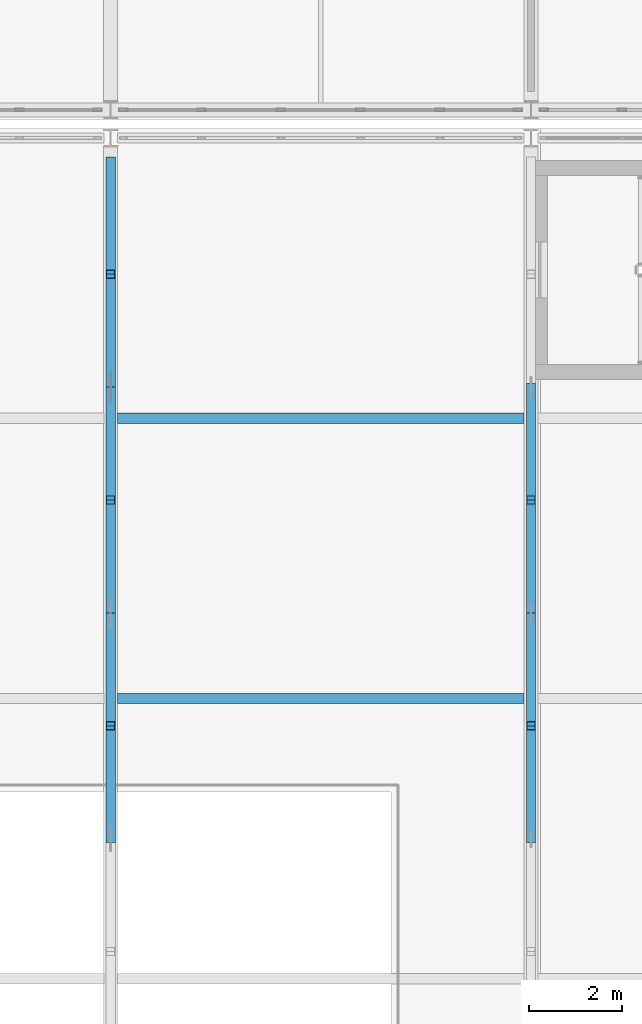
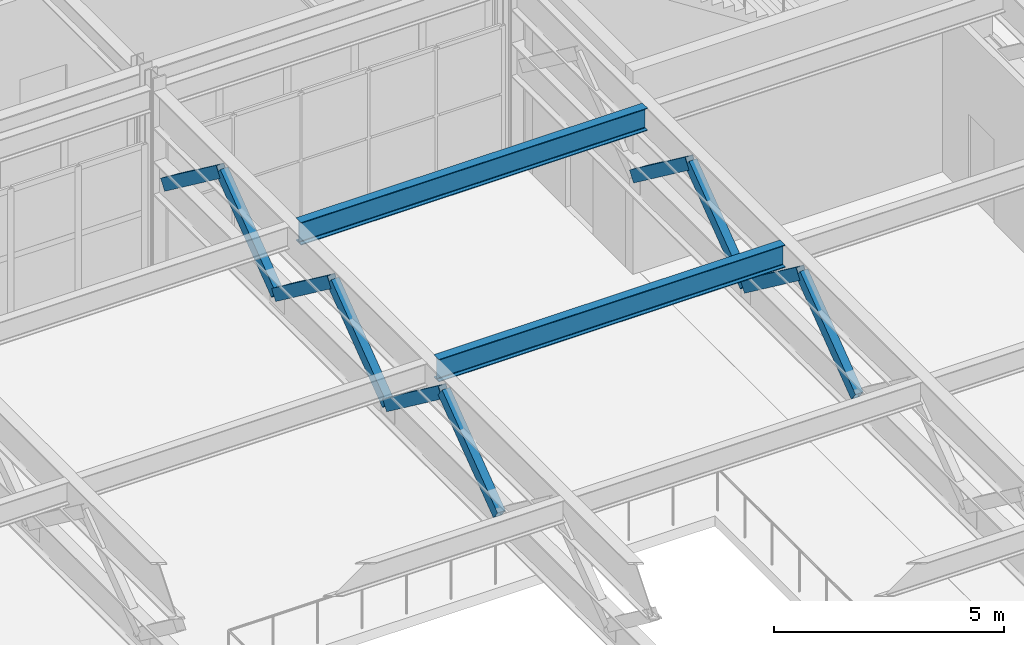
# One storey, part 33 of 210: 10 members, 2 beams.
"""IFC4 building model written with IfcOpenShell, lengths in metres."""

from ifc_helpers import new_model, si_unit, direction, frame, origin, origin_2d, place, context, subcontext, project, spatial, hollow_rectangle, i_section, extrude, material, material_profile, profile_set, type_object, element, save


model = new_model("IFC4")

# Units and contexts
model_context = context("Model", 3, precision=1e-05, world=origin(), true_north=direction((0.0, 1.0)))
body_context = subcontext(model_context, "Body", "Model", "MODEL_VIEW")
ifc_project = project(units=[si_unit("LENGTHUNIT", "METRE"), si_unit("AREAUNIT", "SQUARE_METRE"), si_unit("VOLUMEUNIT", "CUBIC_METRE"), si_unit("PLANEANGLEUNIT", "RADIAN"), si_unit("MASSUNIT", "GRAM", prefix="KILO")], contexts=[model_context])

# Site, building, storey
site_placement = place(None, origin())
site = spatial("IfcSite", under=ifc_project, at=site_placement, CompositionType="ELEMENT")
building_placement = place(site_placement, origin())
building = spatial("IfcBuilding", under=site, at=building_placement, Name="Kaldris Quays Convention Centre", CompositionType="ELEMENT")
storey_placement = place(building_placement, frame((0.0, 0.0, 6.0)))
storey = spatial("IfcBuildingStorey", under=building, at=storey_placement, Name="L01", CompositionType="ELEMENT", Elevation=6.0)

# Beams
ifc_material_1 = material(Name="Steel S355J2", Category="steel")
ifc_material_profile_1 = material_profile(ifc_material_1, i_section(OverallWidth=0.219970703125, OverallDepth=0.60009765625, WebThickness=0.011962890625, FlangeThickness=0.01904296875, FilletRadius=0.02392578125, at=origin_2d()), Name="IPE 600")
ifc_profile_set_1 = profile_set([ifc_material_profile_1], Name="Steel S355J2")
beam_type = type_object("IfcBeamType", Name="STRUCTURAL BEAM BM10", PredefinedType="BEAM", material=ifc_profile_set_1)
for number, where, z_axis, x_axis, name in (
    (1, (38.14501953125, 34.0, 4.758056640625), (1.0, 0.0, 0.0), (0.0, 1.0, 0.0), "L01 Ballroom Tie Beam BM10"),
    (2, (38.14501953125, 40.0, 4.758056640625), (1.0, 0.0, 0.0), (0.0, 1.0, 0.0), "L01 Ballroom Tie Beam BM10"),
):
    element("IfcBeam", number, at=place(storey_placement, frame(where, z_axis=z_axis, x_axis=x_axis)), inside=storey, type_object=beam_type, Name=name, PredefinedType="BEAM", context=body_context, shape_type="SweptSolid", body=[
        extrude(i_section(OverallWidth=0.219970703125, OverallDepth=0.60009765625, WebThickness=0.011962890625, FlangeThickness=0.01904296875, FilletRadius=0.02392578125, at=origin_2d()), origin(), (0.0, 0.0, 1.0), 8.7099609375),
    ])

# Members
ifc_material_2 = material(Name="Steel S355J2H", Category="steel")
ifc_material_profile_2 = material_profile(ifc_material_2, hollow_rectangle(XDim=0.199951171875, YDim=0.300048828125, WallThickness=0.012451171875, at=origin_2d()), Name="RHS 300x200x12.5")
ifc_profile_set_2 = profile_set([ifc_material_profile_2], Name="Steel S355J2H")
member_type = type_object("IfcMemberType", Name="STRUCTURAL MEMBER TTD1", PredefinedType="BRACE", material=ifc_profile_set_2)
member_1_placement = place(storey_placement, frame((38.0, 31.0, 2.75), z_axis=(0.0, 0.800708018983, 0.599054812464), x_axis=(-1.0, 0.0, 0.0)))
element("IfcMember", 3, at=member_1_placement, inside=storey, type_object=member_type, Name="Transfer Truss TT03 Diagonal 7", PredefinedType="BRACE", context=body_context, shape_type="SweptSolid", body=[
    extrude(hollow_rectangle(XDim=0.199951171875, YDim=0.300048828125, WallThickness=0.012451171875, at=origin_2d()), origin(), (0.0, 0.0, 1.0), 3.018310546875),
])
member_2_placement = place(storey_placement, frame((38.0, 35.833251953125, 2.75), z_axis=(0.0, -0.800678988238, 0.599093613548), x_axis=(1.0, 0.0, 0.0)))
element("IfcMember", 4, at=member_2_placement, inside=storey, type_object=member_type, Name="Transfer Truss TT03 Diagonal 8", PredefinedType="BRACE", context=body_context, shape_type="SweptSolid", body=[
    extrude(hollow_rectangle(XDim=0.199951171875, YDim=0.300048828125, WallThickness=0.012451171875, at=origin_2d()), origin(), (0.0, 0.0, 1.0), 3.01806640625),
])
for number, where, z_axis, x_axis, name in (
    (5, (38.0, 35.833251953125, 2.75), (0.0, 0.800708018983, 0.599054812464), (-1.0, 0.0, 0.0), "Transfer Truss TT03 Diagonal 9"),
    (6, (38.0, 40.666748046875, 2.75), (0.0, -0.800708018983, 0.599054812464), (1.0, 0.0, 0.0), "Transfer Truss TT03 Diagonal 10"),
):
    element("IfcMember", number, at=place(storey_placement, frame(where, z_axis=z_axis, x_axis=x_axis)), inside=storey, type_object=member_type, Name=name, PredefinedType="BRACE", context=body_context, shape_type="SweptSolid", body=[
        extrude(hollow_rectangle(XDim=0.199951171875, YDim=0.300048828125, WallThickness=0.012451171875, at=origin_2d()), origin(), (0.0, 0.0, 1.0), 3.018310546875),
    ])
member_3_placement = place(storey_placement, frame((38.0, 40.666748046875, 2.75), z_axis=(0.0, 0.800678988238, 0.599093613548), x_axis=(-1.0, 0.0, 0.0)))
element("IfcMember", 7, at=member_3_placement, inside=storey, type_object=member_type, Name="Transfer Truss TT03 Diagonal 11", PredefinedType="BRACE", context=body_context, shape_type="SweptSolid", body=[
    extrude(hollow_rectangle(XDim=0.199951171875, YDim=0.300048828125, WallThickness=0.012451171875, at=origin_2d()), origin(), (0.0, 0.0, 1.0), 3.01806640625),
])
for number, where, z_axis, x_axis, name in (
    (8, (38.0, 45.5, 2.75), (0.0, -0.800708018983, 0.599054812464), (1.0, 0.0, 0.0), "Transfer Truss TT03 Diagonal 12"),
    (9, (47.0, 31.0, 2.75), (0.0, 0.800708018983, 0.599054812464), (-1.0, 0.0, 0.0), "Transfer Truss TT04 Diagonal 7"),
):
    element("IfcMember", number, at=place(storey_placement, frame(where, z_axis=z_axis, x_axis=x_axis)), inside=storey, type_object=member_type, Name=name, PredefinedType="BRACE", context=body_context, shape_type="SweptSolid", body=[
        extrude(hollow_rectangle(XDim=0.199951171875, YDim=0.300048828125, WallThickness=0.012451171875, at=origin_2d()), origin(), (0.0, 0.0, 1.0), 3.018310546875),
    ])
member_4_placement = place(storey_placement, frame((47.0, 35.833251953125, 2.75), z_axis=(0.0, -0.800678988238, 0.599093613548), x_axis=(1.0, 0.0, 0.0)))
element("IfcMember", 10, at=member_4_placement, inside=storey, type_object=member_type, Name="Transfer Truss TT04 Diagonal 8", PredefinedType="BRACE", context=body_context, shape_type="SweptSolid", body=[
    extrude(hollow_rectangle(XDim=0.199951171875, YDim=0.300048828125, WallThickness=0.012451171875, at=origin_2d()), origin(), (0.0, 0.0, 1.0), 3.01806640625),
])
for number, where, z_axis, x_axis, name in (
    (11, (47.0, 35.833251953125, 2.75), (0.0, 0.800708018983, 0.599054812464), (-1.0, 0.0, 0.0), "Transfer Truss TT04 Diagonal 9"),
    (12, (47.0, 40.666748046875, 2.75), (0.0, -0.800708018983, 0.599054812464), (1.0, 0.0, 0.0), "Transfer Truss TT04 Diagonal 10"),
):
    element("IfcMember", number, at=place(storey_placement, frame(where, z_axis=z_axis, x_axis=x_axis)), inside=storey, type_object=member_type, Name=name, PredefinedType="BRACE", context=body_context, shape_type="SweptSolid", body=[
        extrude(hollow_rectangle(XDim=0.199951171875, YDim=0.300048828125, WallThickness=0.012451171875, at=origin_2d()), origin(), (0.0, 0.0, 1.0), 3.018310546875),
    ])

save(model, "model.ifc")
